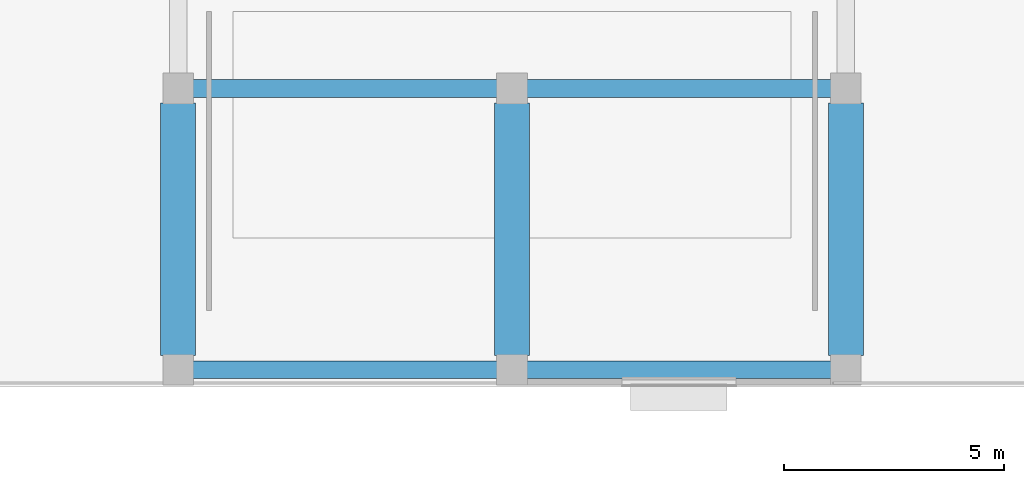
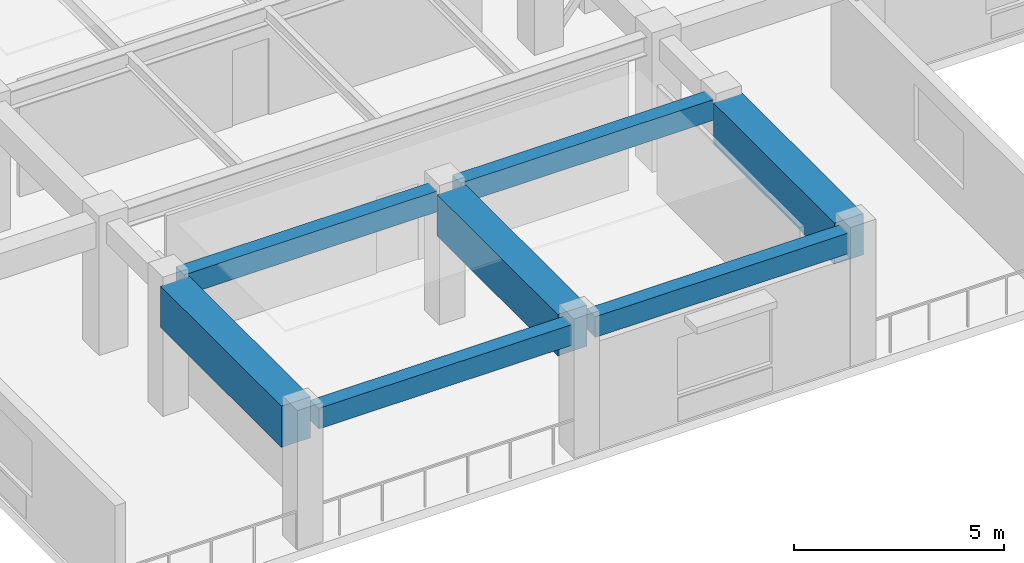
# One storey, part 16 of 70: 7 beams.
"""IFC4 building model written with IfcOpenShell, lengths in metres."""

import ifcopenshell
import ifcopenshell.guid

model = None  # the IFC model being written
_history = None  # IfcOwnerHistory: only IFC2X3 demands one
_inside = {}  # id of a spatial element -> (the spatial element, [elements in it])
_under = {}  # id of a project, library or spatial element -> (it, [spatial elements below it])
_declared = {}  # id of a project -> (the project, [libraries it declares])
_typed = {}  # id of a type object -> (the type object, [elements of that type])
_made_of = {}  # id of a material, layer set ... -> (it, [elements and type objects made of it])


def new_model(schema):
    """Start an empty IFC model of exactly this schema.

    Asked for "IFC4X3", IfcOpenShell would pick the latest addendum, in which some entities
    have other attributes; the version numbers below select the first issue.
    IFC2X3 requires an IfcOwnerHistory on every rooted entity: one is made here for all.
    """
    global model, _history
    if schema == "IFC4X3":
        model = ifcopenshell.file(schema_version=(4, 3, 0, 0))
    else:
        model = ifcopenshell.file(schema=schema)
    _inside.clear()
    _under.clear()
    _declared.clear()
    _typed.clear()
    _made_of.clear()
    _history = None
    if model.schema == "IFC2X3":
        org = make("IfcOrganization", Name="unknown")
        user = make(
            "IfcPersonAndOrganization",
            ThePerson=make("IfcPerson", FamilyName="unknown"),
            TheOrganization=org,
        )
        app = make(
            "IfcApplication",
            ApplicationDeveloper=org,
            Version="unknown",
            ApplicationFullName="unknown",
            ApplicationIdentifier="unknown",
        )
        _history = make(
            "IfcOwnerHistory",
            OwningUser=user,
            OwningApplication=app,
            ChangeAction="ADDED",
            CreationDate=0,
        )
    return model


def make(cls, **values):
    """One entity of the class cls with the attributes given. An attribute that is None is left unset."""
    return model.create_entity(
        cls, **{name: value for name, value in values.items() if value is not None}
    )


def rooted(cls, **values):
    """An entity with a GlobalId (a new one), such as an element, a storey or a relation."""
    return make(cls, GlobalId=ifcopenshell.guid.new(), OwnerHistory=_history, **values)


def si_unit(unit_type, name, prefix=None):
    """IfcSIUnit, for example si_unit("LENGTHUNIT", "METRE", prefix="MILLI")."""
    return make("IfcSIUnit", UnitType=unit_type, Prefix=prefix, Name=name)


def assignment(units):
    """IfcUnitAssignment: the units of a project."""
    return None if units is None else make("IfcUnitAssignment", Units=units)


def point(xyz):
    """IfcCartesianPoint."""
    return None if xyz is None else make("IfcCartesianPoint", Coordinates=xyz)


def direction(xyz):
    """IfcDirection."""
    return None if xyz is None else make("IfcDirection", DirectionRatios=xyz)


def frame(location, z_axis=None, x_axis=None):
    """IfcAxis2Placement3D, a coordinate frame: its origin and axes. An axis left out is left unset."""
    return make(
        "IfcAxis2Placement3D",
        Location=point(location),
        Axis=direction(z_axis),
        RefDirection=direction(x_axis),
    )


def frame_2d(location, x_axis=None):
    """IfcAxis2Placement2D, a coordinate frame in the plane: its origin and x axis."""
    return make(
        "IfcAxis2Placement2D", Location=point(location), RefDirection=direction(x_axis)
    )


def origin():
    """The frame at (0, 0, 0) with its axes left unset."""
    return frame((0.0, 0.0, 0.0))


def origin_2d():
    """The frame at (0, 0) in the plane with its x axis left unset."""
    return frame_2d((0.0, 0.0))


def place(relative_to, where):
    """IfcLocalPlacement: puts the frame where relative to a parent placement (None: the world)."""
    return make(
        "IfcLocalPlacement", PlacementRelTo=relative_to, RelativePlacement=where
    )


def context(
    kind, dimensions, precision=None, world=None, true_north=None, identifier=None
):
    """IfcGeometricRepresentationContext, for example the 3D "Model" context."""
    return make(
        "IfcGeometricRepresentationContext",
        ContextIdentifier=identifier,
        ContextType=kind,
        CoordinateSpaceDimension=dimensions,
        Precision=precision,
        WorldCoordinateSystem=world,
        TrueNorth=true_north,
    )


def subcontext(parent, identifier, kind, view, scale=None):
    """IfcGeometricRepresentationSubContext, for example "Body" below "Model"."""
    return make(
        "IfcGeometricRepresentationSubContext",
        ContextIdentifier=identifier,
        ContextType=kind,
        ParentContext=parent,
        TargetScale=scale,
        TargetView=view,
    )


def project(units=None, contexts=None):
    """IfcProject with its units and contexts."""
    return rooted(
        "IfcProject",
        Name="project",
        RepresentationContexts=contexts,
        UnitsInContext=assignment(units),
    )


def spatial(cls, under=None, at=None, **own):
    """A site, building, storey or space (cls), placed at a placement, below another one or the project."""
    s = rooted(cls, ObjectPlacement=at, **own)
    if under is not None:
        _under.setdefault(under.id(), (under, []))[1].append(s)
    return s


def profile(cls, at=None, kind="AREA", **sizes):
    """A parametric profile (cls). Its sizes go by their IFC names, for example OverallWidth=200.0."""
    return make(cls, ProfileType=kind, Position=at, **sizes)


def rectangle(**sizes):
    """IfcRectangleProfileDef."""
    return profile("IfcRectangleProfileDef", **sizes)


def extrude(swept, where, along, depth):
    """IfcExtrudedAreaSolid: the profile swept, set in the frame where, extruded along a direction by depth."""
    return make(
        "IfcExtrudedAreaSolid",
        SweptArea=swept,
        Position=where,
        ExtrudedDirection=direction(along),
        Depth=depth,
    )


def shape(context_of_items, identifier, shape_type, items):
    """IfcShapeRepresentation: the items that make up one representation, for example the "Body"."""
    return make(
        "IfcShapeRepresentation",
        ContextOfItems=context_of_items,
        RepresentationIdentifier=identifier,
        RepresentationType=shape_type,
        Items=items,
    )


def material(Name=None, Category=None):
    """IfcMaterial."""
    return make("IfcMaterial", Name=Name, Category=Category)


def material_profile(
    of_material, cross_section, Name=None, Category=None, Priority=None
):
    """IfcMaterialProfile: a cross section and its material."""
    return make(
        "IfcMaterialProfile",
        Name=Name,
        Material=of_material,
        Profile=cross_section,
        Priority=Priority,
        Category=Category,
    )


def profile_set(profiles, Name=None, composite=None):
    """IfcMaterialProfileSet."""
    return make(
        "IfcMaterialProfileSet",
        Name=Name,
        MaterialProfiles=profiles,
        CompositeProfile=composite,
    )


def made_of(thing, what):
    """Note that an element or type object is made of a material, layer set ...; save() writes the relation."""
    if what is not None:
        _made_of.setdefault(what.id(), (what, []))[1].append(thing)
    return thing


def type_object(cls, material=None, **own):
    """A type object (cls), such as IfcWallType, which elements share."""
    return made_of(rooted(cls, **own), material)


def element(
    cls,
    number,
    at=None,
    inside=None,
    cuts=None,
    type_object=None,
    material=None,
    context=None,
    identifier="Body",
    shape_type=None,
    held_by="IfcProductDefinitionShape",
    body=None,
    shapes=None,
    **own,
):
    """One element of the class cls, such as IfcWall. Its Tag is "e" and its number.

    at: its placement. inside: the storey or other place that contains it. cuts: it is an
    opening in that element (IfcRelVoidsElement). A single representation is given by context,
    identifier, shape_type and body (its items); several are given by shapes. held_by: the class
    of the entity that holds the representations. save() writes the other relations.
    """
    e = rooted(cls, Tag="e%d" % number, ObjectPlacement=at, **own)
    if body is not None:
        shapes = [shape(context, identifier, shape_type, body)]
    if shapes is not None:
        e.Representation = make(held_by, Representations=shapes)
    if inside is not None:
        _inside.setdefault(inside.id(), (inside, []))[1].append(e)
    if cuts is not None:
        rooted(
            "IfcRelVoidsElement", RelatingBuildingElement=cuts, RelatedOpeningElement=e
        )
    if type_object is not None:
        _typed.setdefault(type_object.id(), (type_object, []))[1].append(e)
    return made_of(e, material)


def aggregate(whole, parts):
    """IfcRelAggregates: a whole, such as a stair, and the parts it consists of."""
    return rooted("IfcRelAggregates", RelatingObject=whole, RelatedObjects=parts)


def save(model, path):
    """Write the relations noted so far, then the file.

    IfcRelAggregates (storeys below a building ...), IfcRelContainedInSpatialStructure (elements
    in a storey), IfcRelDefinesByType, IfcRelAssociatesMaterial and IfcRelDeclares: one each for
    every whole, place, type object, material and project.
    """
    for whole, parts in _under.values():
        aggregate(whole, parts)
    for where, things in _inside.values():
        rooted(
            "IfcRelContainedInSpatialStructure",
            RelatedElements=things,
            RelatingStructure=where,
        )
    for kind, things in _typed.values():
        rooted("IfcRelDefinesByType", RelatedObjects=things, RelatingType=kind)
    for what, things in _made_of.values():
        rooted("IfcRelAssociatesMaterial", RelatedObjects=things, RelatingMaterial=what)
    for by, libraries in _declared.values():
        rooted("IfcRelDeclares", RelatingContext=by, RelatedDefinitions=libraries)
    model.write(path)


model = new_model("IFC4")

# Units and contexts
model_context = context("Model", 3, precision=1e-05, world=origin(), true_north=direction((0.0, 1.0)))
body_context = subcontext(model_context, "Body", "Model", "MODEL_VIEW")
ifc_project = project(units=[si_unit("LENGTHUNIT", "METRE"), si_unit("AREAUNIT", "SQUARE_METRE"), si_unit("VOLUMEUNIT", "CUBIC_METRE"), si_unit("PLANEANGLEUNIT", "RADIAN"), si_unit("MASSUNIT", "GRAM", prefix="KILO")], contexts=[model_context])

# Site, building, storey
site_placement = place(None, origin())
site = spatial("IfcSite", under=ifc_project, at=site_placement, CompositionType="ELEMENT")
building_placement = place(site_placement, origin())
building = spatial("IfcBuilding", under=site, at=building_placement, Name="Saryqyr Civic Hall", CompositionType="ELEMENT")
storey_placement = place(building_placement, frame((0.0, 0.0, 13.199951171875)))
storey = spatial("IfcBuildingStorey", under=building, at=storey_placement, Name="L03", CompositionType="ELEMENT", Elevation=13.199951171875)

# Beams
ifc_material_1 = material(Name="Concrete C35/45", Category="concrete")
ifc_material_profile_1 = material_profile(ifc_material_1, rectangle(XDim=0.39990234375, YDim=0.60009765625, at=origin_2d()), Name="RC 400x600")
ifc_profile_set_1 = profile_set([ifc_material_profile_1], Name="Concrete C35/45")
beam_type_1 = type_object("IfcBeamType", Name="STR-BM-RC400x600", PredefinedType="BEAM", material=ifc_profile_set_1)
for number, where, z_axis, x_axis, name in (
    (1, (49.72509765625, 61.39990234375, 3.489990234375), (1.0, 0.0, 0.0), (0.0, 1.0, 0.0), "Beam V1-TBM-05-L03"),
    (2, (57.324951171875, 61.39990234375, 3.489990234375), (1.0, 0.0, 0.0), (0.0, 1.0, 0.0), "Beam V1-TBM-06-L03"),
    (3, (49.72509765625, 67.800048828125, 3.489990234375), (1.0, 0.0, 0.0), (0.0, 1.0, 0.0), "Beam V1-TBM-23-L03"),
    (4, (57.324951171875, 67.800048828125, 3.489990234375), (1.0, 0.0, 0.0), (0.0, 1.0, 0.0), "Beam V1-TBM-24-L03"),
):
    element("IfcBeam", number, at=place(storey_placement, frame(where, z_axis=z_axis, x_axis=x_axis)), inside=storey, type_object=beam_type_1, Name=name, PredefinedType="BEAM", context=body_context, shape_type="SweptSolid", body=[
        extrude(rectangle(XDim=0.39990234375, YDim=0.60009765625, at=origin_2d()), origin(), (0.0, 0.0, 1.0), 6.949951171875),
    ])
ifc_material_2 = material(Name="Concrete C40/50", Category="concrete")
ifc_material_profile_2 = material_profile(ifc_material_2, rectangle(XDim=0.800048828125, YDim=1.199951171875, at=origin_2d()), Name="RC 800x1200")
ifc_profile_set_2 = profile_set([ifc_material_profile_2], Name="Concrete C40/50")
beam_type_2 = type_object("IfcBeamType", Name="STR-TG-RC800x1200", PredefinedType="USERDEFINED", material=ifc_profile_set_2)
for number, where, z_axis, x_axis, name in (
    (5, (49.39990234375, 61.72509765625, 3.18994140625), (0.0, 1.0, 0.0), (-1.0, 0.0, 0.0), "Beam V1-TG-S1-L03"),
    (6, (57.0, 61.72509765625, 3.18994140625), (0.0, 1.0, 0.0), (-1.0, 0.0, 0.0), "Beam V1-TG-S2-L03"),
    (7, (64.60009765625, 61.72509765625, 3.18994140625), (0.0, 1.0, 0.0), (-1.0, 0.0, 0.0), "Beam V1-TG-S3-L03"),
):
    element("IfcBeam", number, at=place(storey_placement, frame(where, z_axis=z_axis, x_axis=x_axis)), inside=storey, type_object=beam_type_2, Name=name, ObjectType="TRANSFER_GIRDER", PredefinedType="USERDEFINED", context=body_context, shape_type="SweptSolid", body=[
        extrude(rectangle(XDim=0.800048828125, YDim=1.199951171875, at=origin_2d()), origin(), (0.0, 0.0, 1.0), 5.75),
    ])

save(model, "model.ifc")
